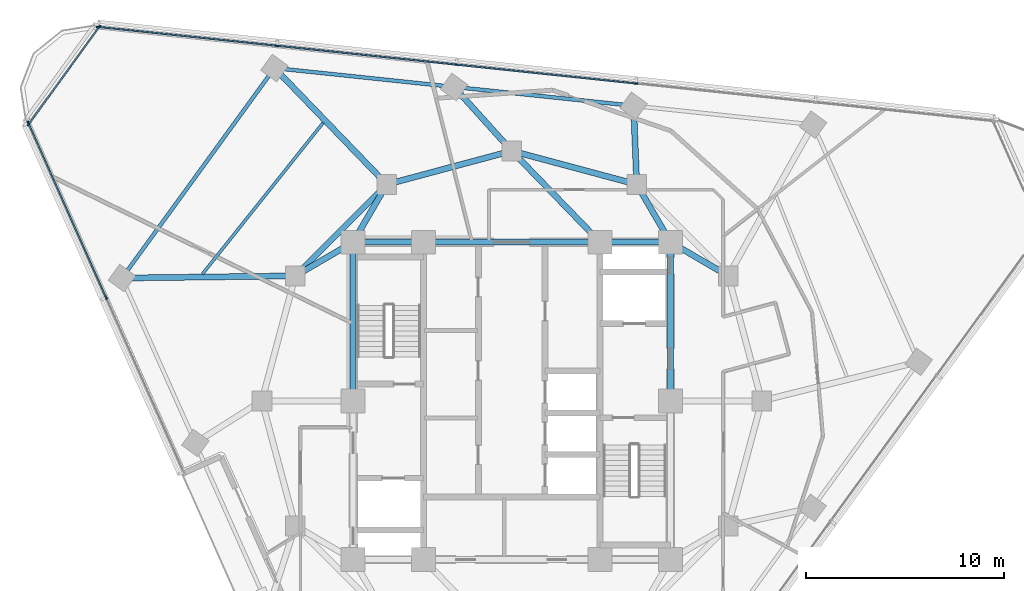
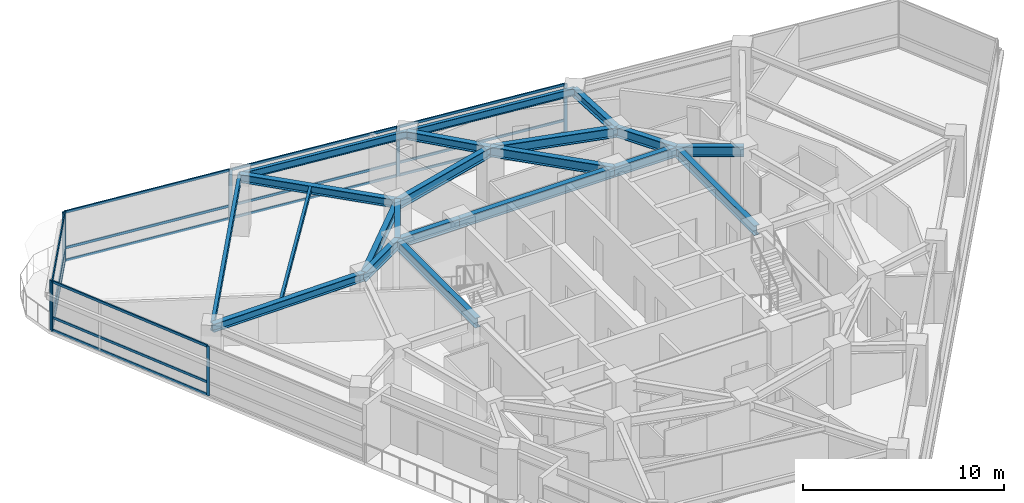
# One storey, part 5 of 14: 23 members, 21 beams, 3 elements without a shape of their own.
"""IFC4 building model written with IfcOpenShell, lengths in metres."""

import ifcopenshell
import ifcopenshell.guid

model = None  # the IFC model being written
_history = None  # IfcOwnerHistory: only IFC2X3 demands one
_inside = {}  # id of a spatial element -> (the spatial element, [elements in it])
_under = {}  # id of a project, library or spatial element -> (it, [spatial elements below it])
_declared = {}  # id of a project -> (the project, [libraries it declares])
_typed = {}  # id of a type object -> (the type object, [elements of that type])
_made_of = {}  # id of a material, layer set ... -> (it, [elements and type objects made of it])


def new_model(schema):
    """Start an empty IFC model of exactly this schema.

    Asked for "IFC4X3", IfcOpenShell would pick the latest addendum, in which some entities
    have other attributes; the version numbers below select the first issue.
    IFC2X3 requires an IfcOwnerHistory on every rooted entity: one is made here for all.
    """
    global model, _history
    if schema == "IFC4X3":
        model = ifcopenshell.file(schema_version=(4, 3, 0, 0))
    else:
        model = ifcopenshell.file(schema=schema)
    _inside.clear()
    _under.clear()
    _declared.clear()
    _typed.clear()
    _made_of.clear()
    _history = None
    if model.schema == "IFC2X3":
        org = make("IfcOrganization", Name="unknown")
        user = make(
            "IfcPersonAndOrganization",
            ThePerson=make("IfcPerson", FamilyName="unknown"),
            TheOrganization=org,
        )
        app = make(
            "IfcApplication",
            ApplicationDeveloper=org,
            Version="unknown",
            ApplicationFullName="unknown",
            ApplicationIdentifier="unknown",
        )
        _history = make(
            "IfcOwnerHistory",
            OwningUser=user,
            OwningApplication=app,
            ChangeAction="ADDED",
            CreationDate=0,
        )
    return model


def make(cls, **values):
    """One entity of the class cls with the attributes given. An attribute that is None is left unset."""
    return model.create_entity(
        cls, **{name: value for name, value in values.items() if value is not None}
    )


def rooted(cls, **values):
    """An entity with a GlobalId (a new one), such as an element, a storey or a relation."""
    return make(cls, GlobalId=ifcopenshell.guid.new(), OwnerHistory=_history, **values)


def si_unit(unit_type, name, prefix=None):
    """IfcSIUnit, for example si_unit("LENGTHUNIT", "METRE", prefix="MILLI")."""
    return make("IfcSIUnit", UnitType=unit_type, Prefix=prefix, Name=name)


def assignment(units):
    """IfcUnitAssignment: the units of a project."""
    return None if units is None else make("IfcUnitAssignment", Units=units)


def point(xyz):
    """IfcCartesianPoint."""
    return None if xyz is None else make("IfcCartesianPoint", Coordinates=xyz)


def direction(xyz):
    """IfcDirection."""
    return None if xyz is None else make("IfcDirection", DirectionRatios=xyz)


def frame(location, z_axis=None, x_axis=None):
    """IfcAxis2Placement3D, a coordinate frame: its origin and axes. An axis left out is left unset."""
    return make(
        "IfcAxis2Placement3D",
        Location=point(location),
        Axis=direction(z_axis),
        RefDirection=direction(x_axis),
    )


def frame_2d(location, x_axis=None):
    """IfcAxis2Placement2D, a coordinate frame in the plane: its origin and x axis."""
    return make(
        "IfcAxis2Placement2D", Location=point(location), RefDirection=direction(x_axis)
    )


def origin():
    """The frame at (0, 0, 0) with its axes left unset."""
    return frame((0.0, 0.0, 0.0))


def origin_2d():
    """The frame at (0, 0) in the plane with its x axis left unset."""
    return frame_2d((0.0, 0.0))


def place(relative_to, where):
    """IfcLocalPlacement: puts the frame where relative to a parent placement (None: the world)."""
    return make(
        "IfcLocalPlacement", PlacementRelTo=relative_to, RelativePlacement=where
    )


def context(
    kind, dimensions, precision=None, world=None, true_north=None, identifier=None
):
    """IfcGeometricRepresentationContext, for example the 3D "Model" context."""
    return make(
        "IfcGeometricRepresentationContext",
        ContextIdentifier=identifier,
        ContextType=kind,
        CoordinateSpaceDimension=dimensions,
        Precision=precision,
        WorldCoordinateSystem=world,
        TrueNorth=true_north,
    )


def subcontext(parent, identifier, kind, view, scale=None):
    """IfcGeometricRepresentationSubContext, for example "Body" below "Model"."""
    return make(
        "IfcGeometricRepresentationSubContext",
        ContextIdentifier=identifier,
        ContextType=kind,
        ParentContext=parent,
        TargetScale=scale,
        TargetView=view,
    )


def project(units=None, contexts=None):
    """IfcProject with its units and contexts."""
    return rooted(
        "IfcProject",
        Name="project",
        RepresentationContexts=contexts,
        UnitsInContext=assignment(units),
    )


def spatial(cls, under=None, at=None, **own):
    """A site, building, storey or space (cls), placed at a placement, below another one or the project."""
    s = rooted(cls, ObjectPlacement=at, **own)
    if under is not None:
        _under.setdefault(under.id(), (under, []))[1].append(s)
    return s


def profile(cls, at=None, kind="AREA", **sizes):
    """A parametric profile (cls). Its sizes go by their IFC names, for example OverallWidth=200.0."""
    return make(cls, ProfileType=kind, Position=at, **sizes)


def rectangle(**sizes):
    """IfcRectangleProfileDef."""
    return profile("IfcRectangleProfileDef", **sizes)


def i_section(**sizes):
    """IfcIShapeProfileDef."""
    return profile("IfcIShapeProfileDef", **sizes)


def extrude(swept, where, along, depth):
    """IfcExtrudedAreaSolid: the profile swept, set in the frame where, extruded along a direction by depth."""
    return make(
        "IfcExtrudedAreaSolid",
        SweptArea=swept,
        Position=where,
        ExtrudedDirection=direction(along),
        Depth=depth,
    )


def shape(context_of_items, identifier, shape_type, items):
    """IfcShapeRepresentation: the items that make up one representation, for example the "Body"."""
    return make(
        "IfcShapeRepresentation",
        ContextOfItems=context_of_items,
        RepresentationIdentifier=identifier,
        RepresentationType=shape_type,
        Items=items,
    )


def material(Name=None, Category=None):
    """IfcMaterial."""
    return make("IfcMaterial", Name=Name, Category=Category)


def layer(
    of_material, thickness, ventilated=None, Name=None, Category=None, Priority=None
):
    """IfcMaterialLayer: one layer of a wall or slab, of a material (None: an air gap)."""
    return make(
        "IfcMaterialLayer",
        Material=of_material,
        LayerThickness=thickness,
        IsVentilated=ventilated,
        Name=Name,
        Category=Category,
        Priority=Priority,
    )


def layer_set(layers, Name=None):
    """IfcMaterialLayerSet."""
    return make("IfcMaterialLayerSet", MaterialLayers=layers, LayerSetName=Name)


def material_profile(
    of_material, cross_section, Name=None, Category=None, Priority=None
):
    """IfcMaterialProfile: a cross section and its material."""
    return make(
        "IfcMaterialProfile",
        Name=Name,
        Material=of_material,
        Profile=cross_section,
        Priority=Priority,
        Category=Category,
    )


def profile_set(profiles, Name=None, composite=None):
    """IfcMaterialProfileSet."""
    return make(
        "IfcMaterialProfileSet",
        Name=Name,
        MaterialProfiles=profiles,
        CompositeProfile=composite,
    )


def made_of(thing, what):
    """Note that an element or type object is made of a material, layer set ...; save() writes the relation."""
    if what is not None:
        _made_of.setdefault(what.id(), (what, []))[1].append(thing)
    return thing


def type_object(cls, material=None, **own):
    """A type object (cls), such as IfcWallType, which elements share."""
    return made_of(rooted(cls, **own), material)


def element(
    cls,
    number,
    at=None,
    inside=None,
    cuts=None,
    type_object=None,
    material=None,
    context=None,
    identifier="Body",
    shape_type=None,
    held_by="IfcProductDefinitionShape",
    body=None,
    shapes=None,
    **own,
):
    """One element of the class cls, such as IfcWall. Its Tag is "e" and its number.

    at: its placement. inside: the storey or other place that contains it. cuts: it is an
    opening in that element (IfcRelVoidsElement). A single representation is given by context,
    identifier, shape_type and body (its items); several are given by shapes. held_by: the class
    of the entity that holds the representations. save() writes the other relations.
    """
    e = rooted(cls, Tag="e%d" % number, ObjectPlacement=at, **own)
    if body is not None:
        shapes = [shape(context, identifier, shape_type, body)]
    if shapes is not None:
        e.Representation = make(held_by, Representations=shapes)
    if inside is not None:
        _inside.setdefault(inside.id(), (inside, []))[1].append(e)
    if cuts is not None:
        rooted(
            "IfcRelVoidsElement", RelatingBuildingElement=cuts, RelatedOpeningElement=e
        )
    if type_object is not None:
        _typed.setdefault(type_object.id(), (type_object, []))[1].append(e)
    return made_of(e, material)


def aggregate(whole, parts):
    """IfcRelAggregates: a whole, such as a stair, and the parts it consists of."""
    return rooted("IfcRelAggregates", RelatingObject=whole, RelatedObjects=parts)


def save(model, path):
    """Write the relations noted so far, then the file.

    IfcRelAggregates (storeys below a building ...), IfcRelContainedInSpatialStructure (elements
    in a storey), IfcRelDefinesByType, IfcRelAssociatesMaterial and IfcRelDeclares: one each for
    every whole, place, type object, material and project.
    """
    for whole, parts in _under.values():
        aggregate(whole, parts)
    for where, things in _inside.values():
        rooted(
            "IfcRelContainedInSpatialStructure",
            RelatedElements=things,
            RelatingStructure=where,
        )
    for kind, things in _typed.values():
        rooted("IfcRelDefinesByType", RelatedObjects=things, RelatingType=kind)
    for what, things in _made_of.values():
        rooted("IfcRelAssociatesMaterial", RelatedObjects=things, RelatingMaterial=what)
    for by, libraries in _declared.values():
        rooted("IfcRelDeclares", RelatingContext=by, RelatedDefinitions=libraries)
    model.write(path)


model = new_model("IFC4")

# Units and contexts
model_context = context("Model", 3, precision=1e-05, world=origin(), true_north=direction((0.0, 1.0)))
body_context = subcontext(model_context, "Body", "Model", "MODEL_VIEW")
ifc_project = project(units=[si_unit("LENGTHUNIT", "METRE"), si_unit("AREAUNIT", "SQUARE_METRE"), si_unit("VOLUMEUNIT", "CUBIC_METRE"), si_unit("PLANEANGLEUNIT", "RADIAN"), si_unit("MASSUNIT", "GRAM", prefix="KILO")], contexts=[model_context])

# Site, building, storey
site_placement = place(None, origin())
site = spatial("IfcSite", under=ifc_project, at=site_placement, CompositionType="ELEMENT")
building_placement = place(site_placement, origin())
building = spatial("IfcBuilding", under=site, at=building_placement, Name="Terralouvre Media Tower", CompositionType="ELEMENT")
storey_placement = place(building_placement, frame((0.0, 0.0, 226.300048828125)))
storey = spatial("IfcBuildingStorey", under=building, at=storey_placement, Name="L58", CompositionType="ELEMENT", Elevation=226.300048828125)

# Beam
ifc_material_1 = material(Name="Structural steel S355J2", Category="steel")
ifc_material_profile_1 = material_profile(ifc_material_1, i_section(OverallWidth=0.14990234375, OverallDepth=0.300048828125, WebThickness=0.007080078125, FlangeThickness=0.0107421875, at=origin_2d()), Name="IPE 300")
ifc_profile_set_1 = profile_set([ifc_material_profile_1], Name="Structural steel S355J2")
beam_type_1 = type_object("IfcBeamType", Name="Composite Floor Joist J-IPE300 (IPE 300)", PredefinedType="JOIST", material=ifc_profile_set_1)
beam_1_placement = place(storey_placement, frame((-9.507568359375, 14.0205078125, 3.349853515625), z_axis=(-0.623938489158, -0.781473455561, 0.0), x_axis=(0.781473455561, -0.623938489158, 0.0)))
element("IfcBeam", 1, at=beam_1_placement, inside=storey, type_object=beam_type_1, Name="L58 Framing Beam JT-L58-05", PredefinedType="JOIST", context=body_context, shape_type="SweptSolid", body=[
    extrude(i_section(OverallWidth=0.14990234375, OverallDepth=0.300048828125, WebThickness=0.007080078125, FlangeThickness=0.0107421875, at=origin_2d()), origin(), (0.0, 0.0, 1.0), 9.763427734375),
])

# Curtain wall, members
ifc_material_2 = material(Name="Low-iron laminated double glazing with solar-control coating", Category="glass")
ifc_layer_1 = layer(ifc_material_2, 0.1650390625, Name="Upper Executive Tower Curtain Wall CW-05")
ifc_layer_set_1 = layer_set([ifc_layer_1], Name="Low-iron laminated double glazing with solar-control coating")
curtain_wall_type_1 = type_object("IfcCurtainWallType", Name="Upper Executive Tower Curtain Wall CW-05", PredefinedType="NOTDEFINED", material=ifc_layer_set_1)
curtain_wall_1_placement = place(storey_placement, origin())
curtain_wall_1 = element("IfcCurtainWall", 2, at=curtain_wall_1_placement, inside=storey, type_object=curtain_wall_type_1, Name="L58 Facade Curtain Wall F1", PredefinedType="NOTDEFINED")
ifc_material_3 = material(Name="Anodised extruded aluminium 6063-T6", Category="aluminium")
ifc_material_profile_2 = material_profile(ifc_material_3, rectangle(XDim=0.074951171875, YDim=0.14990234375, at=origin_2d()), Name="ALU 75x150")
ifc_profile_set_2 = profile_set([ifc_material_profile_2], Name="Anodised extruded aluminium 6063-T6")
member_type_1 = type_object("IfcMemberType", Name="Curtain-Wall Horizontal Transom TR-150", PredefinedType="USERDEFINED", material=ifc_profile_set_2)
member_1_placement = place(storey_placement, frame((6.21923828125, 16.002197265625, 0.037353515625), z_axis=(-0.994522041896, 0.104527069141, 0.0), x_axis=(-0.104527069141, -0.994522041896, 0.0)))
member_1 = element("IfcMember", 3, at=member_1_placement, type_object=member_type_1, Name="CW-05 transom 3.1", ObjectType="TRANSOM", PredefinedType="USERDEFINED", context=body_context, shape_type="SweptSolid", body=[
    extrude(rectangle(XDim=0.074951171875, YDim=0.14990234375, at=origin_2d()), origin(), (0.0, 0.0, 1.0), 9.025146484375),
])
member_2_placement = place(storey_placement, frame((6.21923828125, 16.002197265625, 0.800048828125), z_axis=(-0.994522041896, 0.104527069141, 0.0), x_axis=(-0.104527069141, -0.994522041896, 0.0)))
member_2 = element("IfcMember", 4, at=member_2_placement, type_object=member_type_1, Name="CW-05 transom 3.2", ObjectType="TRANSOM", PredefinedType="USERDEFINED", context=body_context, shape_type="SweptSolid", body=[
    extrude(rectangle(XDim=0.074951171875, YDim=0.14990234375, at=origin_2d()), origin(), (0.0, 0.0, 1.0), 9.025146484375),
])
member_3_placement = place(storey_placement, frame((6.21923828125, 16.002197265625, 2.96240234375), z_axis=(-0.994522041896, 0.104527069141, 0.0), x_axis=(-0.104527069141, -0.994522041896, 0.0)))
member_3 = element("IfcMember", 5, at=member_3_placement, type_object=member_type_1, Name="CW-05 transom 3.3", ObjectType="TRANSOM", PredefinedType="USERDEFINED", context=body_context, shape_type="SweptSolid", body=[
    extrude(rectangle(XDim=0.074951171875, YDim=0.14990234375, at=origin_2d()), origin(), (0.0, 0.0, 1.0), 9.025146484375),
])
member_4_placement = place(storey_placement, frame((-2.830810546875, 16.95361328125, 0.037353515625), z_axis=(-0.994522041896, 0.104527069141, 0.0), x_axis=(-0.104527069141, -0.994522041896, 0.0)))
member_4 = element("IfcMember", 6, at=member_4_placement, type_object=member_type_1, Name="CW-05 transom 4.1", ObjectType="TRANSOM", PredefinedType="USERDEFINED", context=body_context, shape_type="SweptSolid", body=[
    extrude(rectangle(XDim=0.074951171875, YDim=0.14990234375, at=origin_2d()), origin(), (0.0, 0.0, 1.0), 9.025146484375),
])
member_5_placement = place(storey_placement, frame((-2.830810546875, 16.95361328125, 0.800048828125), z_axis=(-0.994522041896, 0.104527069141, 0.0), x_axis=(-0.104527069141, -0.994522041896, 0.0)))
member_5 = element("IfcMember", 7, at=member_5_placement, type_object=member_type_1, Name="CW-05 transom 4.2", ObjectType="TRANSOM", PredefinedType="USERDEFINED", context=body_context, shape_type="SweptSolid", body=[
    extrude(rectangle(XDim=0.074951171875, YDim=0.14990234375, at=origin_2d()), origin(), (0.0, 0.0, 1.0), 9.025146484375),
])
member_6_placement = place(storey_placement, frame((-2.830810546875, 16.95361328125, 2.96240234375), z_axis=(-0.994522041896, 0.104527069141, 0.0), x_axis=(-0.104527069141, -0.994522041896, 0.0)))
member_6 = element("IfcMember", 8, at=member_6_placement, type_object=member_type_1, Name="CW-05 transom 4.3", ObjectType="TRANSOM", PredefinedType="USERDEFINED", context=body_context, shape_type="SweptSolid", body=[
    extrude(rectangle(XDim=0.074951171875, YDim=0.14990234375, at=origin_2d()), origin(), (0.0, 0.0, 1.0), 9.025146484375),
])
member_7_placement = place(storey_placement, frame((-11.881103515625, 17.90478515625, 0.037353515625), z_axis=(-0.994521813919, 0.104529238206, 0.0), x_axis=(-0.104529238206, -0.994521813919, 0.0)))
member_7 = element("IfcMember", 9, at=member_7_placement, type_object=member_type_1, Name="CW-05 transom 5.1", ObjectType="TRANSOM", PredefinedType="USERDEFINED", context=body_context, shape_type="SweptSolid", body=[
    extrude(rectangle(XDim=0.074951171875, YDim=0.14990234375, at=origin_2d()), origin(), (0.0, 0.0, 1.0), 8.987548828125),
])
member_8_placement = place(storey_placement, frame((-11.881103515625, 17.90478515625, 0.800048828125), z_axis=(-0.994521813919, 0.104529238206, 0.0), x_axis=(-0.104529238206, -0.994521813919, 0.0)))
member_8 = element("IfcMember", 10, at=member_8_placement, type_object=member_type_1, Name="CW-05 transom 5.2", ObjectType="TRANSOM", PredefinedType="USERDEFINED", context=body_context, shape_type="SweptSolid", body=[
    extrude(rectangle(XDim=0.074951171875, YDim=0.14990234375, at=origin_2d()), origin(), (0.0, 0.0, 1.0), 8.987548828125),
])
member_9_placement = place(storey_placement, frame((-11.881103515625, 17.90478515625, 2.96240234375), z_axis=(-0.994521813919, 0.104529238206, 0.0), x_axis=(-0.104529238206, -0.994521813919, 0.0)))
member_9 = element("IfcMember", 11, at=member_9_placement, type_object=member_type_1, Name="CW-05 transom 5.3", ObjectType="TRANSOM", PredefinedType="USERDEFINED", context=body_context, shape_type="SweptSolid", body=[
    extrude(rectangle(XDim=0.074951171875, YDim=0.14990234375, at=origin_2d()), origin(), (0.0, 0.0, 1.0), 8.987548828125),
])

curtain_wall_2_placement = place(storey_placement, origin())
curtain_wall_2 = element("IfcCurtainWall", 12, at=curtain_wall_2_placement, inside=storey, type_object=curtain_wall_type_1, Name="L58 Left Flank Curtain Wall F2", PredefinedType="NOTDEFINED")
member_10_placement = place(storey_placement, frame((-24.35546875, 13.97705078125, 0.037353515625), z_axis=(0.406742447522, -0.913542873315, 0.0), x_axis=(0.913542873315, 0.406742447522, 0.0)))
member_10 = element("IfcMember", 13, at=member_10_placement, type_object=member_type_1, Name="CW-05 transom 1.1", ObjectType="TRANSOM", PredefinedType="USERDEFINED", context=body_context, shape_type="SweptSolid", body=[
    extrude(rectangle(XDim=0.074951171875, YDim=0.14990234375, at=origin_2d()), origin(), (0.0, 0.0, 1.0), 9.562255859375),
])
member_11_placement = place(storey_placement, frame((-24.35546875, 13.97705078125, 0.800048828125), z_axis=(0.406742447522, -0.913542873315, 0.0), x_axis=(0.913542873315, 0.406742447522, 0.0)))
member_11 = element("IfcMember", 14, at=member_11_placement, type_object=member_type_1, Name="CW-05 transom 1.2", ObjectType="TRANSOM", PredefinedType="USERDEFINED", context=body_context, shape_type="SweptSolid", body=[
    extrude(rectangle(XDim=0.074951171875, YDim=0.14990234375, at=origin_2d()), origin(), (0.0, 0.0, 1.0), 9.562255859375),
])
member_12_placement = place(storey_placement, frame((-24.35546875, 13.97705078125, 2.96240234375), z_axis=(0.406742447522, -0.913542873315, 0.0), x_axis=(0.913542873315, 0.406742447522, 0.0)))
member_12 = element("IfcMember", 15, at=member_12_placement, type_object=member_type_1, Name="CW-05 transom 1.3", ObjectType="TRANSOM", PredefinedType="USERDEFINED", context=body_context, shape_type="SweptSolid", body=[
    extrude(rectangle(XDim=0.074951171875, YDim=0.14990234375, at=origin_2d()), origin(), (0.0, 0.0, 1.0), 9.562255859375),
])

ifc_material_4 = material(Name="Low-iron laminated double glazing with solar-control coating", Category="glass")
ifc_layer_2 = layer(ifc_material_4, 0.1650390625, Name="Rounded Wind-Corner Curved Glazing CW-04")
ifc_layer_set_2 = layer_set([ifc_layer_2], Name="Low-iron laminated double glazing with solar-control coating")
curtain_wall_type_2 = type_object("IfcCurtainWallType", Name="Rounded Wind-Corner Curved Glazing CW-04", PredefinedType="NOTDEFINED", material=ifc_layer_set_2)
curtain_wall_3_placement = place(storey_placement, origin())
curtain_wall_3 = element("IfcCurtainWall", 16, at=curtain_wall_3_placement, inside=storey, type_object=curtain_wall_type_2, Name="L58 Rounded Wind-Corner Curtain Wall C2", PredefinedType="NOTDEFINED")
member_13_placement = place(storey_placement, frame((-20.812255859375, 18.828369140625, 0.037353515625), z_axis=(-0.58777959511, -0.809021104528, 0.0), x_axis=(0.809021104528, -0.58777959511, 0.0)))
member_13 = element("IfcMember", 17, at=member_13_placement, type_object=member_type_1, Name="CW-04 transom 1.1", ObjectType="TRANSOM", PredefinedType="USERDEFINED", context=body_context, shape_type="SweptSolid", body=[
    extrude(rectangle(XDim=0.074951171875, YDim=0.14990234375, at=origin_2d()), origin(), (0.0, 0.0, 1.0), 5.99853515625),
])
member_14_placement = place(storey_placement, frame((-20.812255859375, 18.828369140625, 0.800048828125), z_axis=(-0.58777959511, -0.809021104528, 0.0), x_axis=(0.809021104528, -0.58777959511, 0.0)))
member_14 = element("IfcMember", 18, at=member_14_placement, type_object=member_type_1, Name="CW-04 transom 1.2", ObjectType="TRANSOM", PredefinedType="USERDEFINED", context=body_context, shape_type="SweptSolid", body=[
    extrude(rectangle(XDim=0.074951171875, YDim=0.14990234375, at=origin_2d()), origin(), (0.0, 0.0, 1.0), 5.99853515625),
])
member_15_placement = place(storey_placement, frame((-20.812255859375, 18.828369140625, 2.96240234375), z_axis=(-0.58777959511, -0.809021104528, 0.0), x_axis=(0.809021104528, -0.58777959511, 0.0)))
member_15 = element("IfcMember", 19, at=member_15_placement, type_object=member_type_1, Name="CW-04 transom 1.3", ObjectType="TRANSOM", PredefinedType="USERDEFINED", context=body_context, shape_type="SweptSolid", body=[
    extrude(rectangle(XDim=0.074951171875, YDim=0.14990234375, at=origin_2d()), origin(), (0.0, 0.0, 1.0), 5.99853515625),
])

# Member
ifc_material_5 = material(Name="Anodised extruded aluminium 6063-T6", Category="aluminium")
ifc_material_profile_3 = material_profile(ifc_material_5, rectangle(XDim=0.074951171875, YDim=0.179931640625, at=origin_2d()), Name="ALU 75x180")
ifc_profile_set_3 = profile_set([ifc_material_profile_3], Name="Anodised extruded aluminium 6063-T6")
member_type_2 = type_object("IfcMemberType", Name="Curtain-Wall Vertical Mullion ML-180", PredefinedType="MULLION", material=ifc_profile_set_3)
member_16_placement = place(storey_placement, frame((6.256591796875, 15.998291015625, 0.0), z_axis=(0.0, 0.0, 1.0), x_axis=(-0.104528561651, -0.994521885028, 0.0)))
member_16 = element("IfcMember", 20, at=member_16_placement, type_object=member_type_2, Name="CW-05 mullion 3", PredefinedType="MULLION", context=body_context, shape_type="SweptSolid", body=[
    extrude(rectangle(XDim=0.074951171875, YDim=0.179931640625, at=origin_2d()), origin(), (0.0, 0.0, 1.0), 3.0),
])

member_17_placement = place(storey_placement, frame((-2.793701171875, 16.949462890625, 0.0), z_axis=(0.0, 0.0, 1.0), x_axis=(-0.104528561651, -0.994521885028, 0.0)))
member_17 = element("IfcMember", 21, at=member_17_placement, type_object=member_type_2, Name="CW-05 mullion 4", PredefinedType="MULLION", context=body_context, shape_type="SweptSolid", body=[
    extrude(rectangle(XDim=0.074951171875, YDim=0.179931640625, at=origin_2d()), origin(), (0.0, 0.0, 1.0), 3.0),
])

member_18_placement = place(storey_placement, frame((-11.84375, 17.90087890625, 0.0), z_axis=(0.0, 0.0, 1.0), x_axis=(-0.104528561651, -0.994521885028, 0.0)))
member_18 = element("IfcMember", 22, at=member_18_placement, type_object=member_type_2, Name="CW-05 mullion 5", PredefinedType="MULLION", context=body_context, shape_type="SweptSolid", body=[
    extrude(rectangle(XDim=0.074951171875, YDim=0.179931640625, at=origin_2d()), origin(), (0.0, 0.0, 1.0), 3.0),
])

member_19_placement = place(storey_placement, frame((-20.856689453125, 18.84814453125, 0.0), z_axis=(0.0, 0.0, 1.0), x_axis=(-0.104528561651, -0.994521885028, 0.0)))
member_19 = element("IfcMember", 23, at=member_19_placement, type_object=member_type_2, Name="CW-05 mullion 6", PredefinedType="MULLION", context=body_context, shape_type="SweptSolid", body=[
    extrude(rectangle(XDim=0.074951171875, YDim=0.179931640625, at=origin_2d()), origin(), (0.0, 0.0, 1.0), 3.0),
])

aggregate(curtain_wall_1, [member_16, member_17, member_18, member_19, member_1, member_2, member_3, member_4, member_5, member_6, member_7, member_8, member_9])

member_20_placement = place(storey_placement, frame((-24.37060546875, 14.011474609375, 0.0), z_axis=(0.0, 0.0, 1.0), x_axis=(0.913545303888, 0.406736988415, 0.0)))
member_20 = element("IfcMember", 24, at=member_20_placement, type_object=member_type_2, Name="CW-05 mullion 1", PredefinedType="MULLION", context=body_context, shape_type="SweptSolid", body=[
    extrude(rectangle(XDim=0.074951171875, YDim=0.179931640625, at=origin_2d()), origin(), (0.0, 0.0, 1.0), 3.0),
])

member_21_placement = place(storey_placement, frame((-20.45068359375, 5.20703125, 0.0), z_axis=(0.0, 0.0, 1.0), x_axis=(0.913545303888, 0.406736988415, 0.0)))
member_21 = element("IfcMember", 25, at=member_21_placement, type_object=member_type_2, Name="CW-05 mullion 2", PredefinedType="MULLION", context=body_context, shape_type="SweptSolid", body=[
    extrude(rectangle(XDim=0.074951171875, YDim=0.179931640625, at=origin_2d()), origin(), (0.0, 0.0, 1.0), 3.0),
])

aggregate(curtain_wall_2, [member_20, member_21, member_10, member_11, member_12])

member_22_placement = place(storey_placement, frame((-20.7900390625, 18.858642578125, 0.0), z_axis=(0.0, 0.0, 1.0), x_axis=(0.809016531067, -0.58778588998, 0.0)))
member_22 = element("IfcMember", 26, at=member_22_placement, type_object=member_type_2, Name="CW-04 mullion 1", PredefinedType="MULLION", context=body_context, shape_type="SweptSolid", body=[
    extrude(rectangle(XDim=0.074951171875, YDim=0.179931640625, at=origin_2d()), origin(), (0.0, 0.0, 1.0), 3.0),
])

member_23_placement = place(storey_placement, frame((-24.360107421875, 13.94482421875, 0.0), z_axis=(0.0, 0.0, 1.0), x_axis=(0.809016531067, -0.58778588998, 0.0)))
member_23 = element("IfcMember", 27, at=member_23_placement, type_object=member_type_2, Name="CW-04 mullion 2", PredefinedType="MULLION", context=body_context, shape_type="SweptSolid", body=[
    extrude(rectangle(XDim=0.074951171875, YDim=0.179931640625, at=origin_2d()), origin(), (0.0, 0.0, 1.0), 3.0),
])

aggregate(curtain_wall_3, [member_22, member_23, member_13, member_14, member_15])

# Beams
ifc_material_6 = material(Name="Structural steel S355J2", Category="steel")
ifc_material_profile_4 = material_profile(ifc_material_6, i_section(OverallWidth=0.18994140625, OverallDepth=0.449951171875, WebThickness=0.009521484375, FlangeThickness=0.0146484375, at=origin_2d()), Name="IPE 450")
ifc_profile_set_4 = profile_set([ifc_material_profile_4], Name="Structural steel S355J2")
beam_type_2 = type_object("IfcBeamType", Name="Perimeter Spandrel Beam SPB-450 (IPE 450)", PredefinedType="SPANDREL", material=ifc_profile_set_4)
beam_2_placement = place(storey_placement, frame((6.138427734375, 14.87451171875, 3.27490234375), z_axis=(-0.994522199081, 0.104525573596, 0.0), x_axis=(-0.104525573596, -0.994522199081, 0.0)))
element("IfcBeam", 28, at=beam_2_placement, inside=storey, type_object=beam_type_2, Name="L58 Framing Beam BM-L58-PR09", PredefinedType="SPANDREL", context=body_context, shape_type="SweptSolid", body=[
    extrude(i_section(OverallWidth=0.18994140625, OverallDepth=0.449951171875, WebThickness=0.009521484375, FlangeThickness=0.0146484375, at=origin_2d()), origin(), (0.0, 0.0, 1.0), 9.099853515625),
])
beam_3_placement = place(storey_placement, frame((-2.91162109375, 15.82568359375, 3.27490234375), z_axis=(-0.994522492191, 0.10452278472, 0.0), x_axis=(-0.10452278472, -0.994522492191, 0.0)))
element("IfcBeam", 29, at=beam_3_placement, inside=storey, type_object=beam_type_2, Name="L58 Framing Beam BM-L58-PR10", PredefinedType="SPANDREL", context=body_context, shape_type="SweptSolid", body=[
    extrude(i_section(OverallWidth=0.18994140625, OverallDepth=0.449951171875, WebThickness=0.009521484375, FlangeThickness=0.0146484375, at=origin_2d()), origin(), (0.0, 0.0, 1.0), 9.10009765625),
])
beam_4_placement = place(storey_placement, frame((-11.9619140625, 16.77685546875, 3.27490234375), z_axis=(-0.587794396272, -0.809010350806, 0.0), x_axis=(0.809010350806, -0.587794396272, 0.0)))
element("IfcBeam", 30, at=beam_4_placement, inside=storey, type_object=beam_type_2, Name="L58 Framing Beam BM-L58-PR11", PredefinedType="SPANDREL", context=body_context, shape_type="SweptSolid", body=[
    extrude(i_section(OverallWidth=0.18994140625, OverallDepth=0.449951171875, WebThickness=0.009521484375, FlangeThickness=0.0146484375, at=origin_2d()), origin(), (0.0, 0.0, 1.0), 13.08349609375),
])
ifc_material_7 = material(Name="Structural steel S355J2", Category="steel")
ifc_material_profile_5 = material_profile(ifc_material_7, i_section(OverallWidth=0.300048828125, OverallDepth=0.5, WebThickness=0.014404296875, FlangeThickness=0.028076171875, at=origin_2d()), Name="HEB 500")
ifc_profile_set_5 = profile_set([ifc_material_profile_5], Name="Structural steel S355J2")
beam_type_3 = type_object("IfcBeamType", Name="Primary Floor Girder B-HEB500 (HEB 500)", PredefinedType="BEAM", material=ifc_profile_set_5)
beam_5_placement = place(storey_placement, frame((6.300048828125, 10.911865234375, 3.25), z_axis=(-0.040752268141, 0.999169281274, 0.0), x_axis=(-0.999169281274, -0.040752268141, 0.0)))
element("IfcBeam", 31, at=beam_5_placement, inside=storey, type_object=beam_type_3, Name="L58 Framing Beam BM-L58-RD09", PredefinedType="BEAM", context=body_context, shape_type="SweptSolid", body=[
    extrude(i_section(OverallWidth=0.300048828125, OverallDepth=0.5, WebThickness=0.014404296875, FlangeThickness=0.028076171875, at=origin_2d()), origin(), (0.0, 0.0, 1.0), 3.9658203125),
])
beam_6_placement = place(storey_placement, frame((0.0, 12.60009765625, 3.25), z_axis=(-0.670056658177, 0.742309958732, 0.0), x_axis=(-0.742309958732, -0.670056658177, 0.0)))
element("IfcBeam", 32, at=beam_6_placement, inside=storey, type_object=beam_type_3, Name="L58 Framing Beam BM-L58-RD10", PredefinedType="BEAM", context=body_context, shape_type="SweptSolid", body=[
    extrude(i_section(OverallWidth=0.300048828125, OverallDepth=0.5, WebThickness=0.014404296875, FlangeThickness=0.028076171875, at=origin_2d()), origin(), (0.0, 0.0, 1.0), 4.34521484375),
])
beam_7_placement = place(storey_placement, frame((-6.300048828125, 10.911865234375, 3.25), z_axis=(-0.694538392484, 0.719455642389, 0.0), x_axis=(-0.719455642389, -0.694538392484, 0.0)))
element("IfcBeam", 33, at=beam_7_placement, inside=storey, type_object=beam_type_3, Name="L58 Framing Beam BM-L58-RD11", PredefinedType="BEAM", context=body_context, shape_type="SweptSolid", body=[
    extrude(i_section(OverallWidth=0.300048828125, OverallDepth=0.5, WebThickness=0.014404296875, FlangeThickness=0.028076171875, at=origin_2d()), origin(), (0.0, 0.0, 1.0), 8.152099609375),
])
beam_8_placement = place(storey_placement, frame((-10.911865234375, 6.300048828125, 3.25), z_axis=(-0.999923796559, -0.012345083045, 0.0), x_axis=(0.012345083045, -0.999923796559, 0.0)))
element("IfcBeam", 34, at=beam_8_placement, inside=storey, type_object=beam_type_3, Name="L58 Framing Beam BM-L58-RD12", PredefinedType="BEAM", context=body_context, shape_type="SweptSolid", body=[
    extrude(i_section(OverallWidth=0.300048828125, OverallDepth=0.5, WebThickness=0.014404296875, FlangeThickness=0.028076171875, at=origin_2d()), origin(), (0.0, 0.0, 1.0), 8.7412109375),
])
ifc_material_8 = material(Name="Structural steel S460M", Category="steel")
ifc_material_profile_6 = material_profile(ifc_material_8, i_section(OverallWidth=0.300048828125, OverallDepth=0.60009765625, WebThickness=0.015380859375, FlangeThickness=0.030029296875, at=origin_2d()), Name="HEB 600")
ifc_profile_set_6 = profile_set([ifc_material_profile_6], Name="Structural steel S460M")
beam_type_4 = type_object("IfcBeamType", Name="Primary Floor Girder B-HEB600 (HEB 600)", PredefinedType="BEAM", material=ifc_profile_set_6)
beam_9_placement = place(storey_placement, frame((8.0, 0.0, 3.199951171875), z_axis=(0.0, 1.0, 0.0), x_axis=(-1.0, 0.0, 0.0)))
element("IfcBeam", 35, at=beam_9_placement, inside=storey, type_object=beam_type_4, Name="L58 Framing Beam BM-L58-CPR05", PredefinedType="BEAM", context=body_context, shape_type="SweptSolid", body=[
    extrude(i_section(OverallWidth=0.300048828125, OverallDepth=0.60009765625, WebThickness=0.015380859375, FlangeThickness=0.030029296875, at=origin_2d()), origin(), (0.0, 0.0, 1.0), 8.0),
])
beam_10_placement = place(storey_placement, frame((8.0, 8.0, 3.199951171875), z_axis=(-1.0, 0.0, 0.0), x_axis=(0.0, -1.0, 0.0)))
element("IfcBeam", 36, at=beam_10_placement, inside=storey, type_object=beam_type_4, Name="L58 Framing Beam BM-L58-CPR06", PredefinedType="BEAM", context=body_context, shape_type="SweptSolid", body=[
    extrude(i_section(OverallWidth=0.300048828125, OverallDepth=0.60009765625, WebThickness=0.015380859375, FlangeThickness=0.030029296875, at=origin_2d()), origin(), (0.0, 0.0, 1.0), 3.550048828125),
])
beam_11_placement = place(storey_placement, frame((4.449951171875, 8.0, 3.199951171875), z_axis=(-1.0, 0.0, 0.0), x_axis=(0.0, -1.0, 0.0)))
element("IfcBeam", 37, at=beam_11_placement, inside=storey, type_object=beam_type_4, Name="L58 Framing Beam BM-L58-CPR07", PredefinedType="BEAM", context=body_context, shape_type="SweptSolid", body=[
    extrude(i_section(OverallWidth=0.300048828125, OverallDepth=0.60009765625, WebThickness=0.015380859375, FlangeThickness=0.030029296875, at=origin_2d()), origin(), (0.0, 0.0, 1.0), 8.89990234375),
])
beam_12_placement = place(storey_placement, frame((-4.449951171875, 8.0, 3.199951171875), z_axis=(-1.0, 0.0, 0.0), x_axis=(0.0, -1.0, 0.0)))
element("IfcBeam", 38, at=beam_12_placement, inside=storey, type_object=beam_type_4, Name="L58 Framing Beam BM-L58-CPR08", PredefinedType="BEAM", context=body_context, shape_type="SweptSolid", body=[
    extrude(i_section(OverallWidth=0.300048828125, OverallDepth=0.60009765625, WebThickness=0.015380859375, FlangeThickness=0.030029296875, at=origin_2d()), origin(), (0.0, 0.0, 1.0), 3.550048828125),
])
beam_13_placement = place(storey_placement, frame((-8.0, 8.0, 3.199951171875), z_axis=(0.0, -1.0, 0.0), x_axis=(1.0, 0.0, 0.0)))
element("IfcBeam", 39, at=beam_13_placement, inside=storey, type_object=beam_type_4, Name="L58 Framing Beam BM-L58-CPR09", PredefinedType="BEAM", context=body_context, shape_type="SweptSolid", body=[
    extrude(i_section(OverallWidth=0.300048828125, OverallDepth=0.60009765625, WebThickness=0.015380859375, FlangeThickness=0.030029296875, at=origin_2d()), origin(), (0.0, 0.0, 1.0), 8.0),
])
for number, where, z_axis, x_axis, name in (
    (40, (6.300048828125, 10.911865234375, 3.199951171875), (-0.965920481897, 0.258838989821, 0.0), (-0.258838989821, -0.965920481897, 0.0), "L58 Framing Beam BM-L58-MR08"),
    (41, (0.0, 12.60009765625, 3.199951171875), (-0.965920481897, -0.258838989821, 0.0), (0.258838989821, -0.965920481897, 0.0), "L58 Framing Beam BM-L58-MR09"),
):
    element("IfcBeam", number, at=place(storey_placement, frame(where, z_axis=z_axis, x_axis=x_axis)), inside=storey, type_object=beam_type_4, Name=name, PredefinedType="BEAM", context=body_context, shape_type="SweptSolid", body=[
        extrude(i_section(OverallWidth=0.300048828125, OverallDepth=0.60009765625, WebThickness=0.015380859375, FlangeThickness=0.030029296875, at=origin_2d()), origin(), (0.0, 0.0, 1.0), 6.522216796875),
    ])
beam_14_placement = place(storey_placement, frame((-6.300048828125, 10.911865234375, 3.199951171875), z_axis=(-0.707106781187, -0.707106781187, 0.0), x_axis=(0.707106781187, -0.707106781187, 0.0)))
element("IfcBeam", 42, at=beam_14_placement, inside=storey, type_object=beam_type_4, Name="L58 Framing Beam BM-L58-MR10", PredefinedType="BEAM", context=body_context, shape_type="SweptSolid", body=[
    extrude(i_section(OverallWidth=0.300048828125, OverallDepth=0.60009765625, WebThickness=0.015380859375, FlangeThickness=0.030029296875, at=origin_2d()), origin(), (0.0, 0.0, 1.0), 6.52197265625),
])
for number, where, z_axis, x_axis, name in (
    (43, (8.0, 8.0, 3.199951171875), (0.863602894532, -0.504172629717, 0.0), (0.504172629717, 0.863602894532, 0.0), "L58 Framing Beam BM-L58-CM07"),
    (44, (8.0, 8.0, 3.199951171875), (-0.504172629717, 0.863602894532, 0.0), (-0.863602894532, -0.504172629717, 0.0), "L58 Framing Beam BM-L58-CM08"),
):
    element("IfcBeam", number, at=place(storey_placement, frame(where, z_axis=z_axis, x_axis=x_axis)), inside=storey, type_object=beam_type_4, Name=name, PredefinedType="BEAM", context=body_context, shape_type="SweptSolid", body=[
        extrude(i_section(OverallWidth=0.300048828125, OverallDepth=0.60009765625, WebThickness=0.015380859375, FlangeThickness=0.030029296875, at=origin_2d()), origin(), (0.0, 0.0, 1.0), 3.371826171875),
    ])
beam_15_placement = place(storey_placement, frame((4.449951171875, 8.0, 3.199951171875), z_axis=(-0.695279715726, 0.718739255155, 0.0), x_axis=(-0.718739255155, -0.695279715726, 0.0)))
element("IfcBeam", 45, at=beam_15_placement, inside=storey, type_object=beam_type_4, Name="L58 Framing Beam BM-L58-CM09", PredefinedType="BEAM", context=body_context, shape_type="SweptSolid", body=[
    extrude(i_section(OverallWidth=0.300048828125, OverallDepth=0.60009765625, WebThickness=0.015380859375, FlangeThickness=0.030029296875, at=origin_2d()), origin(), (0.0, 0.0, 1.0), 6.400146484375),
])
for number, where, z_axis, x_axis, name in (
    (46, (-8.0, 8.0, 3.199951171875), (0.504172629717, 0.863602894532, 0.0), (-0.863602894532, 0.504172629717, 0.0), "L58 Framing Beam BM-L58-CM10"),
    (47, (-8.0, 8.0, 3.199951171875), (-0.863602894532, -0.504172629717, 0.0), (0.504172629717, -0.863602894532, 0.0), "L58 Framing Beam BM-L58-CM11"),
):
    element("IfcBeam", number, at=place(storey_placement, frame(where, z_axis=z_axis, x_axis=x_axis)), inside=storey, type_object=beam_type_4, Name=name, PredefinedType="BEAM", context=body_context, shape_type="SweptSolid", body=[
        extrude(i_section(OverallWidth=0.300048828125, OverallDepth=0.60009765625, WebThickness=0.015380859375, FlangeThickness=0.030029296875, at=origin_2d()), origin(), (0.0, 0.0, 1.0), 3.371826171875),
    ])

save(model, "model.ifc")
